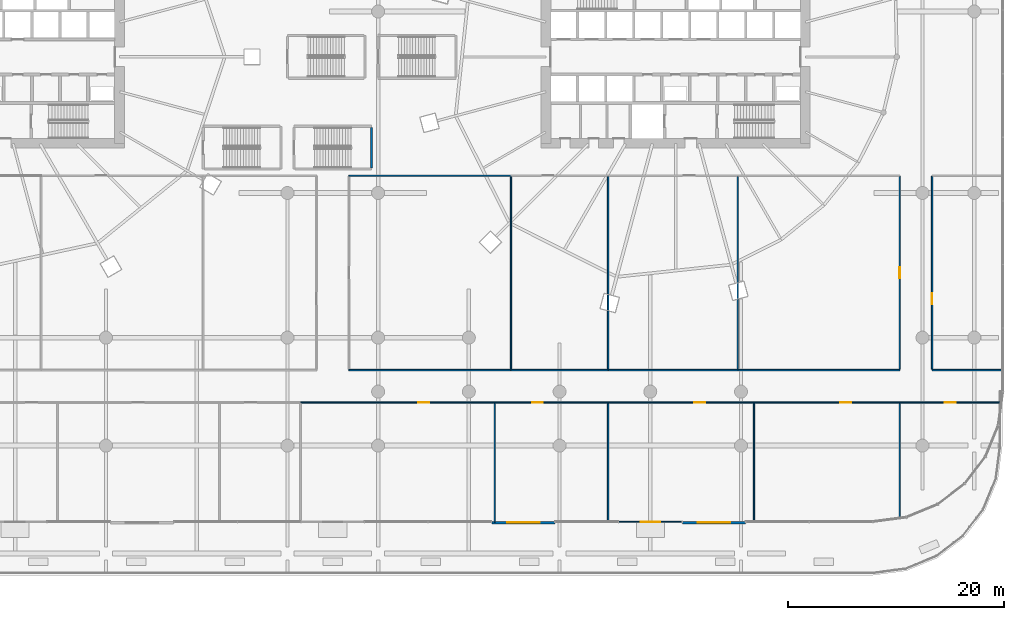
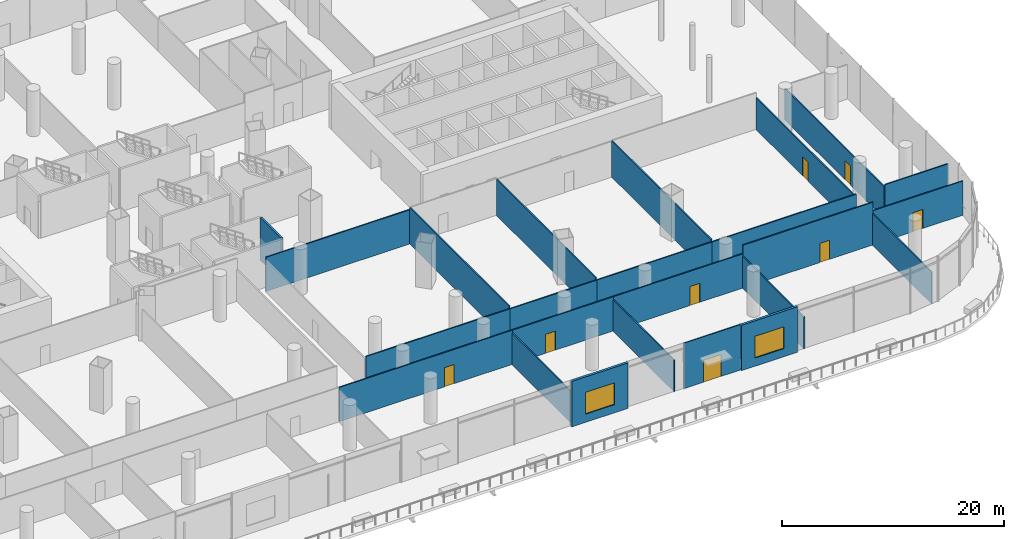
# One storey, part 38 of 51: 24 walls, 8 doors, 2 windows, 10 openings.
"""IFC4 building model written with IfcOpenShell, lengths in metres."""

from ifc_helpers import new_model, si_unit, direction, frame, frame_2d, origin, place, context, subcontext, project, spatial, rectangle, extrude, material, layer, layer_set, type_object, element, fill, save


model = new_model("IFC4")

# Units and contexts
model_context = context("Model", 3, precision=1e-05, world=origin(), true_north=direction((0.0, 1.0)))
body_context = subcontext(model_context, "Body", "Model", "MODEL_VIEW")
ifc_project = project(units=[si_unit("LENGTHUNIT", "METRE"), si_unit("AREAUNIT", "SQUARE_METRE"), si_unit("VOLUMEUNIT", "CUBIC_METRE"), si_unit("PLANEANGLEUNIT", "RADIAN"), si_unit("MASSUNIT", "GRAM", prefix="KILO")], contexts=[model_context])

# Site, building, storey
site_placement = place(None, origin())
site = spatial("IfcSite", under=ifc_project, at=site_placement, CompositionType="ELEMENT")
building_placement = place(site_placement, origin())
building = spatial("IfcBuilding", under=site, at=building_placement, Name="Rimbun Link Towers", CompositionType="ELEMENT")
storey_placement = place(building_placement, frame((0.0, 0.0, 7.0)))
storey = spatial("IfcBuildingStorey", under=building, at=storey_placement, Name="L01", CompositionType="ELEMENT", Elevation=7.0)

# Wall, opening, door
ifc_material_1 = material(Name="Aluminium framed insulated infill panel", Category="aluminium")
ifc_layer_1 = layer(ifc_material_1, 0.10009765625)
ifc_layer_set_1 = layer_set([ifc_layer_1], Name="ED framed infill wall 100")
wall_type_1 = type_object("IfcWallType", Name="ED framed infill wall 100", PredefinedType="STANDARD", material=ifc_layer_set_1)
wall_1_placement = place(storey_placement, frame((32.3330078125, -43.050048828125, 0.0), z_axis=(0.0, 0.0, 1.0), x_axis=(-1.0, 0.0, 0.0)))
wall_1 = element("IfcWall", 1, at=wall_1_placement, inside=storey, type_object=wall_type_1, Name="Framed door bay wall", PredefinedType="STANDARD", context=body_context, shape_type="SweptSolid", body=[
    extrude(rectangle(XDim=5.842529296875, YDim=0.10009765625, at=frame_2d((2.92138671875, 0.0))), origin(), (0.0, 0.0, 1.0), 5.0),
])
opening_1_placement = place(wall_1_placement, frame((2.021240234375, 0.0, 0.0)))
opening_1 = element("IfcOpeningElement", 2, at=opening_1_placement, cuts=wall_1, Name="Opening ED28", PredefinedType="OPENING", context=body_context, shape_type="SweptSolid", body=[
    extrude(rectangle(XDim=1.800048828125, YDim=2.39990234375, at=frame_2d((0.89990234375, 1.199951171875))), frame((0.0, 0.06005859375, 0.0), z_axis=(0.0, -1.0, 0.0), x_axis=(1.0, 0.0, 0.0)), (0.0, 0.0, 1.0), 0.1201171875),
])
ifc_material_2 = material(Name="Aluminium framed glazed door, low-iron glass", Category="aluminium")
door_type_1 = type_object("IfcDoorType", Name="ED terrace door double leaf 1800X2400", OperationType="DOUBLE_DOOR_SINGLE_SWING", PredefinedType="DOOR", material=ifc_material_2)
door_1_placement = place(opening_1_placement, origin())
door_1 = element("IfcDoor", 3, at=door_1_placement, inside=storey, type_object=door_type_1, Name="Terrace door", OperationType="SINGLE_SWING_LEFT", OverallHeight=2.39990234375, OverallWidth=1.800048828125, PredefinedType="DOOR", context=body_context, shape_type="SweptSolid", body=[
    extrude(rectangle(XDim=1.800048828125, YDim=2.39990234375, at=frame_2d((0.89990234375, 1.199951171875))), frame((0.0, 0.02490234375, 0.0), z_axis=(0.0, -1.0, 0.0), x_axis=(1.0, 0.0, 0.0)), (0.0, 0.0, 1.0), 0.050048828125),
])
fill(opening_1, door_1)

# Wall, opening, window
ifc_material_3 = material(Name="Concrete C32/40, terracotta rainscreen cladding", Category="masonry")
ifc_layer_2 = layer(ifc_material_3, 0.25)
ifc_layer_set_2 = layer_set([ifc_layer_2], Name="PD solid bay wall 250")
wall_type_2 = type_object("IfcWallType", Name="PD solid bay wall 250", PredefinedType="STANDARD", material=ifc_layer_set_2)
wall_2_placement = place(storey_placement, frame((20.568115234375, -43.125, 0.0), z_axis=(0.0, 0.0, 1.0), x_axis=(-1.0, 0.0, 0.0)))
wall_2 = element("IfcWall", 4, at=wall_2_placement, inside=storey, type_object=wall_type_2, Name="Solid bay wall", PredefinedType="STANDARD", context=body_context, shape_type="SweptSolid", body=[
    extrude(rectangle(XDim=5.84228515625, YDim=0.25, at=frame_2d((2.921142578125, 0.0))), origin(), (0.0, 0.0, 1.0), 5.0),
])
opening_2_placement = place(wall_2_placement, frame((1.421142578125, 0.0, 0.89990234375)))
opening_2 = element("IfcOpeningElement", 5, at=opening_2_placement, cuts=wall_2, Name="Opening WN03", PredefinedType="OPENING", context=body_context, shape_type="SweptSolid", body=[
    extrude(rectangle(XDim=3.0, YDim=2.39990234375, at=frame_2d((1.5, 1.199951171875))), frame((0.0, 0.135009765625, 0.0), z_axis=(0.0, -1.0, 0.0), x_axis=(1.0, 0.0, 0.0)), (0.0, 0.0, 1.0), 0.27001953125),
])
ifc_material_4 = material(Name="Aluminium framed window, low-iron glass", Category="aluminium")
window_type = type_object("IfcWindowType", Name="W2 podium window 3000X2400", PartitioningType="SINGLE_PANEL", PredefinedType="WINDOW", material=ifc_material_4)
window_1_placement = place(opening_2_placement, origin())
window_1 = element("IfcWindow", 6, at=window_1_placement, inside=storey, type_object=window_type, Name="Podium window", OverallHeight=2.39990234375, OverallWidth=3.0, PartitioningType="SINGLE_PANEL", PredefinedType="WINDOW", context=body_context, shape_type="SweptSolid", body=[
    extrude(rectangle(XDim=3.0, YDim=2.39990234375, at=frame_2d((1.5, 1.199951171875))), frame((0.0, 0.030029296875, 0.0), z_axis=(0.0, -1.0, 0.0), x_axis=(1.0, 0.0, 0.0)), (0.0, 0.0, 1.0), 0.06005859375),
])
fill(opening_2, window_1)

wall_3_placement = place(storey_placement, frame((38.21533203125, -43.125, 0.0), z_axis=(0.0, 0.0, 1.0), x_axis=(-1.0, 0.0, 0.0)))
wall_3 = element("IfcWall", 7, at=wall_3_placement, inside=storey, type_object=wall_type_2, Name="Solid bay wall", PredefinedType="STANDARD", context=body_context, shape_type="SweptSolid", body=[
    extrude(rectangle(XDim=5.84228515625, YDim=0.25, at=frame_2d((2.921142578125, 0.0))), origin(), (0.0, 0.0, 1.0), 5.0),
])
opening_3_placement = place(wall_3_placement, frame((1.421142578125, 0.0, 0.89990234375)))
opening_3 = element("IfcOpeningElement", 8, at=opening_3_placement, cuts=wall_3, Name="Opening WN04", PredefinedType="OPENING", context=body_context, shape_type="SweptSolid", body=[
    extrude(rectangle(XDim=3.0, YDim=2.39990234375, at=frame_2d((1.5, 1.199951171875))), frame((0.0, 0.135009765625, 0.0), z_axis=(0.0, -1.0, 0.0), x_axis=(1.0, 0.0, 0.0)), (0.0, 0.0, 1.0), 0.27001953125),
])
window_2_placement = place(opening_3_placement, origin())
window_2 = element("IfcWindow", 9, at=window_2_placement, inside=storey, type_object=window_type, Name="Podium window", OverallHeight=2.39990234375, OverallWidth=3.0, PartitioningType="SINGLE_PANEL", PredefinedType="WINDOW", context=body_context, shape_type="SweptSolid", body=[
    extrude(rectangle(XDim=3.0, YDim=2.39990234375, at=frame_2d((1.5, 1.199951171875))), frame((0.0, 0.030029296875, 0.0), z_axis=(0.0, -1.0, 0.0), x_axis=(1.0, 0.0, 0.0)), (0.0, 0.0, 1.0), 0.06005859375),
])
fill(opening_3, window_2)

# Wall
ifc_material_5 = material(Name="Gypsum board on steel studs", Category="steel")
ifc_layer_3 = layer(ifc_material_5, 0.125)
ifc_layer_set_3 = layer_set([ifc_layer_3], Name="Partition 125 board on studs")
wall_type_3 = type_object("IfcWallType", Name="Partition 125 board on studs", PredefinedType="PARTITIONING", material=ifc_layer_set_3)
wall_4_placement = place(storey_placement, frame((1.5, -11.0, 0.0), z_axis=(0.0, 0.0, 1.0), x_axis=(1.0, 0.0, 0.0)))
element("IfcWall", 10, at=wall_4_placement, inside=storey, type_object=wall_type_3, Name="PD/PW/L01/030", PredefinedType="PARTITIONING", context=body_context, shape_type="SweptSolid", body=[
    extrude(rectangle(XDim=15.0, YDim=0.125, at=frame_2d((7.5, 0.0))), origin(), (0.0, 0.0, 1.0), 3.761962890625),
])

# Wall, opening, door
wall_5_placement = place(storey_placement, frame((-3.0, -32.0, 0.0), z_axis=(0.0, 0.0, 1.0), x_axis=(1.0, 0.0, 0.0)))
wall_5 = element("IfcWall", 11, at=wall_5_placement, inside=storey, type_object=wall_type_3, Name="PD/PW/L01/051", PredefinedType="PARTITIONING", context=body_context, shape_type="SweptSolid", body=[
    extrude(rectangle(XDim=18.0, YDim=0.125, at=frame_2d((9.0, 0.0))), origin(), (0.0, 0.0, 1.0), 3.761962890625),
])
opening_4_placement = place(wall_5_placement, frame((10.9150390625, 0.0, 0.0)))
opening_4 = element("IfcOpeningElement", 12, at=opening_4_placement, cuts=wall_5, Name="Opening PD D01.06", PredefinedType="OPENING", context=body_context, shape_type="SweptSolid", body=[
    extrude(rectangle(XDim=1.0, YDim=2.10009765625, at=frame_2d((0.5, 1.050048828125))), frame((0.0, 0.072509765625, 0.0), z_axis=(0.0, -1.0, 0.0), x_axis=(1.0, 0.0, 0.0)), (0.0, 0.0, 1.0), 0.14501953125),
])
ifc_material_6 = material(Name="Timber door set", Category="wood")
door_type_2 = type_object("IfcDoorType", Name="Door single leaf 1000 x 2100", OperationType="NOTDEFINED", PredefinedType="DOOR", material=ifc_material_6)
door_2_placement = place(opening_4_placement, origin())
door_2 = element("IfcDoor", 13, at=door_2_placement, inside=storey, type_object=door_type_2, Name="PD/DR/L01/006", OperationType="SINGLE_SWING_LEFT", OverallHeight=2.10009765625, OverallWidth=1.0, PredefinedType="DOOR", context=body_context, shape_type="SweptSolid", body=[
    extrude(rectangle(XDim=1.0, YDim=2.10009765625, at=frame_2d((0.5, 1.050048828125))), frame((0.0, 0.02490234375, 0.0), z_axis=(0.0, -1.0, 0.0), x_axis=(1.0, 0.0, 0.0)), (0.0, 0.0, 1.0), 0.050048828125),
])
fill(opening_4, door_2)

wall_6_placement = place(storey_placement, frame((15.0, -32.0, 0.0), z_axis=(0.0, 0.0, 1.0), x_axis=(1.0, 0.0, 0.0)))
wall_6 = element("IfcWall", 14, at=wall_6_placement, inside=storey, type_object=wall_type_3, Name="PD/PW/L01/052", PredefinedType="PARTITIONING", context=body_context, shape_type="SweptSolid", body=[
    extrude(rectangle(XDim=10.5, YDim=0.125, at=frame_2d((5.25, 0.0))), origin(), (0.0, 0.0, 1.0), 3.761962890625),
])
opening_5_placement = place(wall_6_placement, frame((3.4599609375, 0.0, 0.0)))
opening_5 = element("IfcOpeningElement", 15, at=opening_5_placement, cuts=wall_6, Name="Opening PD D01.07", PredefinedType="OPENING", context=body_context, shape_type="SweptSolid", body=[
    extrude(rectangle(XDim=1.0, YDim=2.10009765625, at=frame_2d((0.5, 1.050048828125))), frame((0.0, 0.072509765625, 0.0), z_axis=(0.0, -1.0, 0.0), x_axis=(1.0, 0.0, 0.0)), (0.0, 0.0, 1.0), 0.14501953125),
])
door_3_placement = place(opening_5_placement, origin())
door_3 = element("IfcDoor", 16, at=door_3_placement, inside=storey, type_object=door_type_2, Name="PD/DR/L01/007", OperationType="SINGLE_SWING_RIGHT", OverallHeight=2.10009765625, OverallWidth=1.0, PredefinedType="DOOR", context=body_context, shape_type="SweptSolid", body=[
    extrude(rectangle(XDim=1.0, YDim=2.10009765625, at=frame_2d((0.5, 1.050048828125))), frame((0.0, 0.02490234375, 0.0), z_axis=(0.0, -1.0, 0.0), x_axis=(1.0, 0.0, 0.0)), (0.0, 0.0, 1.0), 0.050048828125),
])
fill(opening_5, door_3)

wall_7_placement = place(storey_placement, frame((25.5, -32.0, 0.0), z_axis=(0.0, 0.0, 1.0), x_axis=(1.0, 0.0, 0.0)))
wall_7 = element("IfcWall", 17, at=wall_7_placement, inside=storey, type_object=wall_type_3, Name="PD/PW/L01/053", PredefinedType="PARTITIONING", context=body_context, shape_type="SweptSolid", body=[
    extrude(rectangle(XDim=13.5, YDim=0.125, at=frame_2d((6.75, 0.0))), origin(), (0.0, 0.0, 1.0), 3.761962890625),
])
opening_6_placement = place(wall_7_placement, frame((7.989990234375, 0.0, 0.0)))
opening_6 = element("IfcOpeningElement", 18, at=opening_6_placement, cuts=wall_7, Name="Opening PD D01.08", PredefinedType="OPENING", context=body_context, shape_type="SweptSolid", body=[
    extrude(rectangle(XDim=1.0, YDim=2.10009765625, at=frame_2d((0.5, 1.050048828125))), frame((0.0, 0.072509765625, 0.0), z_axis=(0.0, -1.0, 0.0), x_axis=(1.0, 0.0, 0.0)), (0.0, 0.0, 1.0), 0.14501953125),
])
door_4_placement = place(opening_6_placement, origin())
door_4 = element("IfcDoor", 19, at=door_4_placement, inside=storey, type_object=door_type_2, Name="PD/DR/L01/008", OperationType="SINGLE_SWING_LEFT", OverallHeight=2.10009765625, OverallWidth=1.0, PredefinedType="DOOR", context=body_context, shape_type="SweptSolid", body=[
    extrude(rectangle(XDim=1.0, YDim=2.10009765625, at=frame_2d((0.5, 1.050048828125))), frame((0.0, 0.02490234375, 0.0), z_axis=(0.0, -1.0, 0.0), x_axis=(1.0, 0.0, 0.0)), (0.0, 0.0, 1.0), 0.050048828125),
])
fill(opening_6, door_4)

wall_8_placement = place(storey_placement, frame((39.0, -32.0, 0.0), z_axis=(0.0, 0.0, 1.0), x_axis=(1.0, 0.0, 0.0)))
wall_8 = element("IfcWall", 20, at=wall_8_placement, inside=storey, type_object=wall_type_3, Name="PD/PW/L01/054", PredefinedType="PARTITIONING", context=body_context, shape_type="SweptSolid", body=[
    extrude(rectangle(XDim=13.5, YDim=0.125, at=frame_2d((6.75, 0.0))), origin(), (0.0, 0.0, 1.0), 4.699951171875),
])
opening_7_placement = place(wall_8_placement, frame((7.989990234375, 0.0, 0.0)))
opening_7 = element("IfcOpeningElement", 21, at=opening_7_placement, cuts=wall_8, Name="Opening PD D01.09", PredefinedType="OPENING", context=body_context, shape_type="SweptSolid", body=[
    extrude(rectangle(XDim=1.0, YDim=2.10009765625, at=frame_2d((0.5, 1.050048828125))), frame((0.0, 0.072509765625, 0.0), z_axis=(0.0, -1.0, 0.0), x_axis=(1.0, 0.0, 0.0)), (0.0, 0.0, 1.0), 0.14501953125),
])
door_5_placement = place(opening_7_placement, origin())
door_5 = element("IfcDoor", 22, at=door_5_placement, inside=storey, type_object=door_type_2, Name="PD/DR/L01/009", OperationType="SINGLE_SWING_RIGHT", OverallHeight=2.10009765625, OverallWidth=1.0, PredefinedType="DOOR", context=body_context, shape_type="SweptSolid", body=[
    extrude(rectangle(XDim=1.0, YDim=2.10009765625, at=frame_2d((0.5, 1.050048828125))), frame((0.0, 0.02490234375, 0.0), z_axis=(0.0, -1.0, 0.0), x_axis=(1.0, 0.0, 0.0)), (0.0, 0.0, 1.0), 0.050048828125),
])
fill(opening_7, door_5)

wall_9_placement = place(storey_placement, frame((52.5, -32.0, 0.0), z_axis=(0.0, 0.0, 1.0), x_axis=(1.0, 0.0, 0.0)))
wall_9 = element("IfcWall", 23, at=wall_9_placement, inside=storey, type_object=wall_type_3, Name="PD/PW/L01/055", PredefinedType="PARTITIONING", context=body_context, shape_type="SweptSolid", body=[
    extrude(rectangle(XDim=9.368408203125, YDim=0.125, at=frame_2d((4.68408203125, 0.0))), origin(), (0.0, 0.0, 1.0), 3.761962890625),
])
opening_8_placement = place(wall_9_placement, frame((4.18408203125, 0.0, 0.0)))
opening_8 = element("IfcOpeningElement", 24, at=opening_8_placement, cuts=wall_9, Name="Opening PD D01.10", PredefinedType="OPENING", context=body_context, shape_type="SweptSolid", body=[
    extrude(rectangle(XDim=1.0, YDim=2.10009765625, at=frame_2d((0.5, 1.050048828125))), frame((0.0, 0.072509765625, 0.0), z_axis=(0.0, -1.0, 0.0), x_axis=(1.0, 0.0, 0.0)), (0.0, 0.0, 1.0), 0.14501953125),
])
door_6_placement = place(opening_8_placement, origin())
door_6 = element("IfcDoor", 25, at=door_6_placement, inside=storey, type_object=door_type_2, Name="PD/DR/L01/010", OperationType="SINGLE_SWING_LEFT", OverallHeight=2.10009765625, OverallWidth=1.0, PredefinedType="DOOR", context=body_context, shape_type="SweptSolid", body=[
    extrude(rectangle(XDim=1.0, YDim=2.10009765625, at=frame_2d((0.5, 1.050048828125))), frame((0.0, 0.02490234375, 0.0), z_axis=(0.0, -1.0, 0.0), x_axis=(1.0, 0.0, 0.0)), (0.0, 0.0, 1.0), 0.050048828125),
])
fill(opening_8, door_6)

# Walls
wall_10_placement = place(storey_placement, frame((16.5, -29.0, 0.0), z_axis=(0.0, 0.0, 1.0), x_axis=(-1.0, 0.0, 0.0)))
element("IfcWall", 26, at=wall_10_placement, inside=storey, type_object=wall_type_3, Name="PD/PW/L01/061", PredefinedType="PARTITIONING", context=body_context, shape_type="SweptSolid", body=[
    extrude(rectangle(XDim=15.0, YDim=0.125, at=frame_2d((7.5, 0.0))), origin(), (0.0, 0.0, 1.0), 3.761962890625),
])
wall_11_placement = place(storey_placement, frame((25.5, -29.0, 0.0), z_axis=(0.0, 0.0, 1.0), x_axis=(-1.0, 0.0, 0.0)))
element("IfcWall", 27, at=wall_11_placement, inside=storey, type_object=wall_type_3, Name="PD/PW/L01/062", PredefinedType="PARTITIONING", context=body_context, shape_type="SweptSolid", body=[
    extrude(rectangle(XDim=9.0, YDim=0.125, at=frame_2d((4.5, 0.0))), origin(), (0.0, 0.0, 1.0), 3.761962890625),
])
wall_12_placement = place(storey_placement, frame((37.5, -29.0, 0.0), z_axis=(0.0, 0.0, 1.0), x_axis=(-1.0, 0.0, 0.0)))
element("IfcWall", 28, at=wall_12_placement, inside=storey, type_object=wall_type_3, Name="PD/PW/L01/063", PredefinedType="PARTITIONING", context=body_context, shape_type="SweptSolid", body=[
    extrude(rectangle(XDim=12.0, YDim=0.125, at=frame_2d((6.0, 0.0))), origin(), (0.0, 0.0, 1.0), 3.761962890625),
])
wall_13_placement = place(storey_placement, frame((52.5, -29.0, 0.0), z_axis=(0.0, 0.0, 1.0), x_axis=(-1.0, 0.0, 0.0)))
element("IfcWall", 29, at=wall_13_placement, inside=storey, type_object=wall_type_3, Name="PD/PW/L01/064", PredefinedType="PARTITIONING", context=body_context, shape_type="SweptSolid", body=[
    extrude(rectangle(XDim=15.0, YDim=0.125, at=frame_2d((7.5, 0.0))), origin(), (0.0, 0.0, 1.0), 3.761962890625),
])
wall_14_placement = place(storey_placement, frame((62.080078125, -29.0, 0.0), z_axis=(0.0, 0.0, 1.0), x_axis=(-1.0, 0.0, 0.0)))
element("IfcWall", 30, at=wall_14_placement, inside=storey, type_object=wall_type_3, Name="PD/PW/L01/065", PredefinedType="PARTITIONING", context=body_context, shape_type="SweptSolid", body=[
    extrude(rectangle(XDim=6.580078125, YDim=0.125, at=frame_2d((3.2900390625, 0.0))), origin(), (0.0, 0.0, 1.0), 3.761962890625),
])

# Wall, opening, door
wall_15_placement = place(storey_placement, frame((52.5, -11.0625, 0.0), z_axis=(0.0, 0.0, 1.0), x_axis=(0.0, -1.0, 0.0)))
wall_15 = element("IfcWall", 31, at=wall_15_placement, inside=storey, type_object=wall_type_3, Name="PD/PW/L01/070", PredefinedType="PARTITIONING", context=body_context, shape_type="SweptSolid", body=[
    extrude(rectangle(XDim=17.875, YDim=0.125, at=frame_2d((8.9375, 0.0))), origin(), (0.0, 0.0, 1.0), 3.47998046875),
])
opening_9_placement = place(wall_15_placement, frame((8.43798828125, 0.0, 0.0)))
opening_9 = element("IfcOpeningElement", 32, at=opening_9_placement, cuts=wall_15, Name="Opening PD D01.19", PredefinedType="OPENING", context=body_context, shape_type="SweptSolid", body=[
    extrude(rectangle(XDim=1.0, YDim=2.10009765625, at=frame_2d((0.5, 1.050048828125))), frame((0.0, 0.072509765625, 0.0), z_axis=(0.0, -1.0, 0.0), x_axis=(1.0, 0.0, 0.0)), (0.0, 0.0, 1.0), 0.14501953125),
])
door_7_placement = place(opening_9_placement, origin())
door_7 = element("IfcDoor", 33, at=door_7_placement, inside=storey, type_object=door_type_2, Name="PD/DR/L01/019", OperationType="SINGLE_SWING_RIGHT", OverallHeight=2.10009765625, OverallWidth=1.0, PredefinedType="DOOR", context=body_context, shape_type="SweptSolid", body=[
    extrude(rectangle(XDim=1.0, YDim=2.10009765625, at=frame_2d((0.5, 1.050048828125))), frame((0.0, 0.02490234375, 0.0), z_axis=(0.0, -1.0, 0.0), x_axis=(1.0, 0.0, 0.0)), (0.0, 0.0, 1.0), 0.050048828125),
])
fill(opening_9, door_7)

wall_16_placement = place(storey_placement, frame((55.5, -28.9375, 0.0), z_axis=(0.0, 0.0, 1.0), x_axis=(0.0, 1.0, 0.0)))
wall_16 = element("IfcWall", 34, at=wall_16_placement, inside=storey, type_object=wall_type_3, Name="PD/PW/L01/071", PredefinedType="PARTITIONING", context=body_context, shape_type="SweptSolid", body=[
    extrude(rectangle(XDim=17.875, YDim=0.125, at=frame_2d((8.9375, 0.0))), origin(), (0.0, 0.0, 1.0), 3.47998046875),
])
opening_10_placement = place(wall_16_placement, frame((6.041015625, 0.0, 0.0)))
opening_10 = element("IfcOpeningElement", 35, at=opening_10_placement, cuts=wall_16, Name="Opening PD D01.20", PredefinedType="OPENING", context=body_context, shape_type="SweptSolid", body=[
    extrude(rectangle(XDim=1.0, YDim=2.10009765625, at=frame_2d((0.5, 1.050048828125))), frame((0.0, 0.072509765625, 0.0), z_axis=(0.0, -1.0, 0.0), x_axis=(1.0, 0.0, 0.0)), (0.0, 0.0, 1.0), 0.14501953125),
])
door_8_placement = place(opening_10_placement, origin())
door_8 = element("IfcDoor", 36, at=door_8_placement, inside=storey, type_object=door_type_2, Name="PD/DR/L01/020", OperationType="SINGLE_SWING_LEFT", OverallHeight=2.10009765625, OverallWidth=1.0, PredefinedType="DOOR", context=body_context, shape_type="SweptSolid", body=[
    extrude(rectangle(XDim=1.0, YDim=2.10009765625, at=frame_2d((0.5, 1.050048828125))), frame((0.0, 0.02490234375, 0.0), z_axis=(0.0, -1.0, 0.0), x_axis=(1.0, 0.0, 0.0)), (0.0, 0.0, 1.0), 0.050048828125),
])
fill(opening_10, door_8)

# Walls
for number, where, z_axis, x_axis, name in (
    (37, (15.0, -43.080078125, 0.0), (0.0, 0.0, 1.0), (0.0, 1.0, 0.0), "PD/PW/L01/077"),
    (38, (25.5, -43.080078125, 0.0), (0.0, 0.0, 1.0), (0.0, 1.0, 0.0), "PD/PW/L01/078"),
    (39, (39.0, -43.080078125, 0.0), (0.0, 0.0, 1.0), (0.0, 1.0, 0.0), "PD/PW/L01/079"),
):
    element("IfcWall", number, at=place(storey_placement, frame(where, z_axis=z_axis, x_axis=x_axis)), inside=storey, type_object=wall_type_3, Name=name, PredefinedType="PARTITIONING", context=body_context, shape_type="SweptSolid", body=[
        extrude(rectangle(XDim=11.017578125, YDim=0.125, at=frame_2d((5.5087890625, 0.0))), origin(), (0.0, 0.0, 1.0), 3.47998046875),
    ])
wall_17_placement = place(storey_placement, frame((52.5, -42.6708984375, 0.0), z_axis=(0.0, 0.0, 1.0), x_axis=(0.0, 1.0, 0.0)))
element("IfcWall", 40, at=wall_17_placement, inside=storey, type_object=wall_type_3, Name="PD/PW/L01/080", PredefinedType="PARTITIONING", context=body_context, shape_type="SweptSolid", body=[
    extrude(rectangle(XDim=10.6083984375, YDim=0.125, at=frame_2d((5.30419921875, 0.0))), origin(), (0.0, 0.0, 1.0), 3.47998046875),
])
for number, where, z_axis, x_axis, name in (
    (41, (16.5, -28.9375, 0.0), (0.0, 0.0, 1.0), (0.0, 1.0, 0.0), "PD/PW/L01/084"),
    (42, (25.5, -28.9375, 0.0), (0.0, 0.0, 1.0), (0.0, 1.0, 0.0), "PD/PW/L01/085"),
    (43, (37.5, -28.9375, 0.0), (0.0, 0.0, 1.0), (0.0, 1.0, 0.0), "PD/PW/L01/086"),
):
    element("IfcWall", number, at=place(storey_placement, frame(where, z_axis=z_axis, x_axis=x_axis)), inside=storey, type_object=wall_type_3, Name=name, PredefinedType="PARTITIONING", context=body_context, shape_type="SweptSolid", body=[
        extrude(rectangle(XDim=17.875, YDim=0.125, at=frame_2d((8.9375, 0.0))), origin(), (0.0, 0.0, 1.0), 3.99609375),
    ])
ifc_material_7 = material(Name="Concrete C40/50", Category="concrete")
ifc_layer_4 = layer(ifc_material_7, 0.199951171875)
ifc_layer_set_4 = layer_set([ifc_layer_4], Name="Stair shaft wall 200")
wall_type_4 = type_object("IfcWallType", Name="Stair shaft wall 200", PredefinedType="SOLIDWALL", material=ifc_layer_set_4)
wall_18_placement = place(storey_placement, frame((3.60009765625, -10.27490234375, 0.0), z_axis=(0.0, 0.0, 1.0), x_axis=(0.0, 1.0, 0.0)))
element("IfcWall", 44, at=wall_18_placement, inside=storey, type_object=wall_type_4, Name="PD/PW/L01/008", PredefinedType="SOLIDWALL", context=body_context, shape_type="SweptSolid", body=[
    extrude(rectangle(XDim=3.75, YDim=0.199951171875, at=frame_2d((1.875, 0.0))), origin(), (0.0, 0.0, 1.0), 4.699951171875),
])

save(model, "model.ifc")
